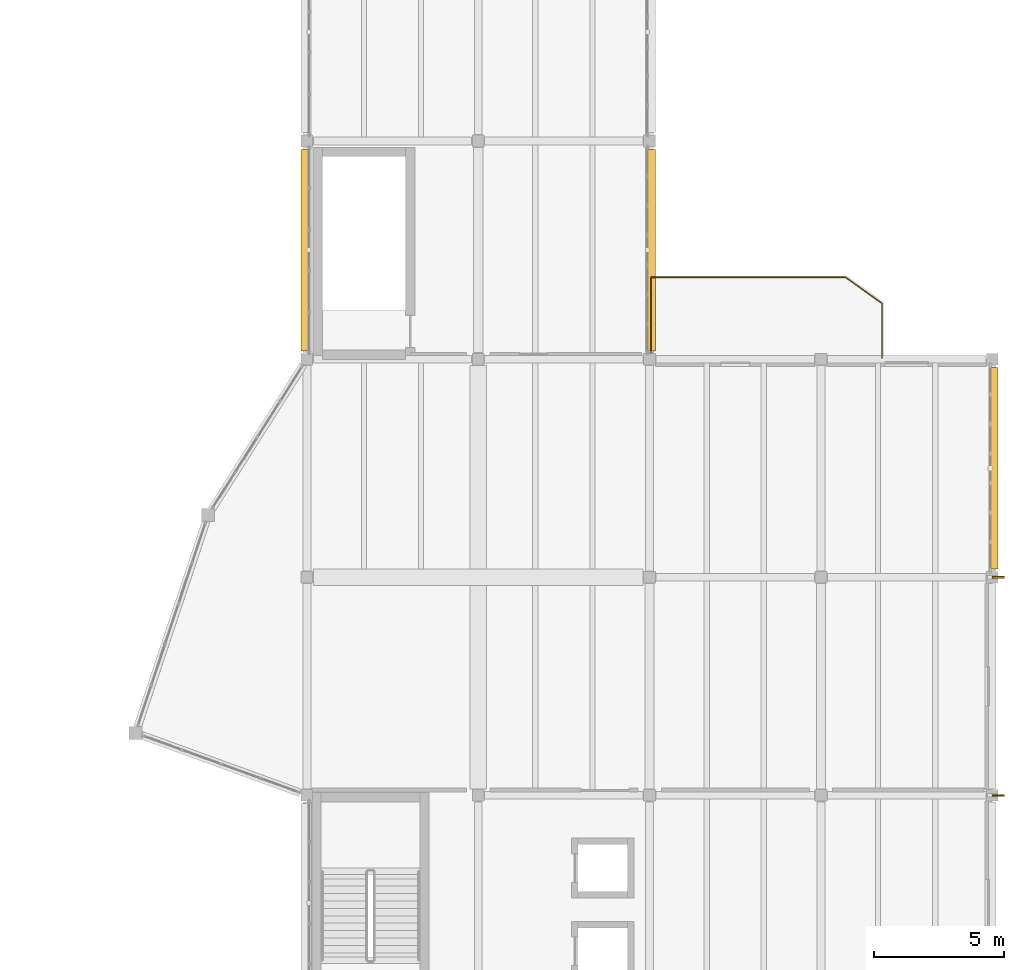
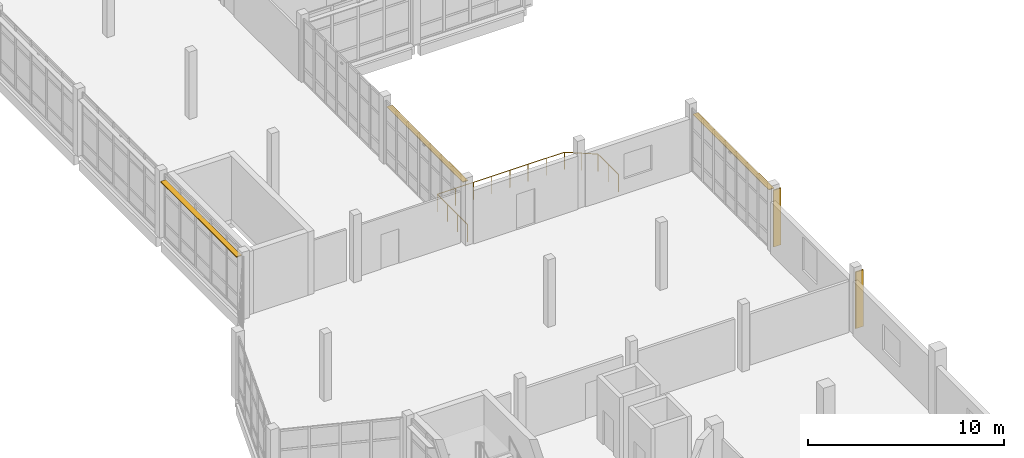
# One storey, part 73 of 74: 5 shading devices, 1 railing.
"""IFC4 building model written with IfcOpenShell, lengths in metres."""

from ifc_helpers import new_model, si_unit, direction, frame, origin, origin_2d, place, context, subcontext, project, spatial, rectangle, circle, extrude, material, layer, layer_set, type_object, element, save


model = new_model("IFC4")

# Units and contexts
model_context = context("Model", 3, precision=1e-05, world=origin(), true_north=direction((0.0, 1.0)))
body_context = subcontext(model_context, "Body", "Model", "MODEL_VIEW")
ifc_project = project(units=[si_unit("LENGTHUNIT", "METRE"), si_unit("AREAUNIT", "SQUARE_METRE"), si_unit("VOLUMEUNIT", "CUBIC_METRE"), si_unit("PLANEANGLEUNIT", "RADIAN"), si_unit("MASSUNIT", "GRAM", prefix="KILO")], contexts=[model_context])

# Site, building, storey
site_placement = place(None, origin())
site = spatial("IfcSite", under=ifc_project, at=site_placement, CompositionType="ELEMENT")
building_placement = place(site_placement, origin())
building = spatial("IfcBuilding", under=site, at=building_placement, Name="Qaldarim Faculty of Natural and Applied Sciences", CompositionType="ELEMENT")
storey_placement = place(building_placement, frame((0.0, 0.0, 14.39990234375)))
storey = spatial("IfcBuildingStorey", under=building, at=storey_placement, Name="L03", CompositionType="ELEMENT", Elevation=14.39990234375)

# Railing
ifc_material_1 = material(Name="Architectural stainless steel 316", Category="steel")
railing_type = type_object("IfcRailingType", Name="ExteriorGuardBalustrade-1100", PredefinedType="BALUSTRADE", material=ifc_material_1)
railing_placement = place(storey_placement, frame((165.050048828125, 84.050048828125, 0.0)))
element("IfcRailing", 1, at=railing_placement, inside=storey, type_object=railing_type, Name="Safety guard balustrade GRD-COURTBAL-L03", PredefinedType="BALUSTRADE", context=body_context, shape_type="SweptSolid", body=[
    extrude(circle(Radius=0.02392578125, at=origin_2d()), frame((0.0, 0.00390625, 1.076171875), z_axis=(0.0, 1.0, 0.0), x_axis=(-1.0, 0.0, 0.0)), (0.0, 0.0, 1.0), 3.091796875),
    extrude(circle(Radius=0.02392578125, at=origin_2d()), frame((0.00390625, 3.099853515625, 1.076171875), z_axis=(1.0, 0.0, 0.0), x_axis=(0.0, 1.0, 0.0)), (0.0, 0.0, 1.0), 7.491943359375),
    extrude(circle(Radius=0.02392578125, at=origin_2d()), frame((7.503173828125, 3.097412109375, 1.076171875), z_axis=(0.813714293681, -0.581265041318, 0.0), x_axis=(0.581265041318, 0.813714293681, 0.0)), (0.0, 0.0, 1.0), 1.71240234375),
    extrude(circle(Radius=0.02392578125, at=origin_2d()), frame((8.89990234375, 2.095947265625, 1.076171875), z_axis=(0.0, -1.0, 0.0), x_axis=(1.0, 0.0, 0.0)), (0.0, 0.0, 1.0), 2.091796875),
    extrude(circle(Radius=0.02099609375, at=origin_2d()), origin(), (0.0, 0.0, 1.0), 1.052001953125),
    extrude(circle(Radius=0.02099609375, at=origin_2d()), frame((0.0, 1.033203125, 0.0)), (0.0, 0.0, 1.0), 1.052001953125),
    extrude(circle(Radius=0.02099609375, at=origin_2d()), frame((0.0, 2.066650390625, 0.0)), (0.0, 0.0, 1.0), 1.052001953125),
    extrude(circle(Radius=0.02099609375, at=origin_2d()), frame((0.0, 3.099853515625, 0.0)), (0.0, 0.0, 1.0), 1.052001953125),
    extrude(circle(Radius=0.02099609375, at=origin_2d()), frame((1.071533203125, 3.099853515625, 0.0)), (0.0, 0.0, 1.0), 1.052001953125),
    extrude(circle(Radius=0.02099609375, at=origin_2d()), frame((2.142822265625, 3.099853515625, 0.0)), (0.0, 0.0, 1.0), 1.052001953125),
    extrude(circle(Radius=0.02099609375, at=origin_2d()), frame((3.21435546875, 3.099853515625, 0.0)), (0.0, 0.0, 1.0), 1.052001953125),
    extrude(circle(Radius=0.02099609375, at=origin_2d()), frame((4.28564453125, 3.099853515625, 0.0)), (0.0, 0.0, 1.0), 1.052001953125),
    extrude(circle(Radius=0.02099609375, at=origin_2d()), frame((5.357177734375, 3.099853515625, 0.0)), (0.0, 0.0, 1.0), 1.052001953125),
    extrude(circle(Radius=0.02099609375, at=origin_2d()), frame((6.428466796875, 3.099853515625, 0.0)), (0.0, 0.0, 1.0), 1.052001953125),
    extrude(circle(Radius=0.02099609375, at=origin_2d()), frame((7.5, 3.099853515625, 0.0)), (0.0, 0.0, 1.0), 1.052001953125),
    extrude(circle(Radius=0.02099609375, at=origin_2d()), frame((8.199951171875, 2.599853515625, 0.0)), (0.0, 0.0, 1.0), 1.052001953125),
    extrude(circle(Radius=0.02099609375, at=origin_2d()), frame((8.89990234375, 2.099853515625, 0.0)), (0.0, 0.0, 1.0), 1.052001953125),
    extrude(circle(Radius=0.02099609375, at=origin_2d()), frame((8.89990234375, 1.0498046875, 0.0)), (0.0, 0.0, 1.0), 1.052001953125),
    extrude(circle(Radius=0.02099609375, at=origin_2d()), frame((8.89990234375, 0.0, 0.0)), (0.0, 0.0, 1.0), 1.052001953125),
])

# Shading devices
ifc_material_2 = material(Name="Champagne anodised aluminium AW-6063", Category="aluminium")
ifc_layer_1 = layer(ifc_material_2, 0.050048828125)
ifc_layer_set_1 = layer_set([ifc_layer_1], Name="Champagne anodised aluminium AW-6063")
shading_device_type_1 = type_object("IfcShadingDeviceType", Name="SolarLouvre-ALU300x50", PredefinedType="JALOUSIE", material=ifc_layer_set_1)
for number, where, z_axis, x_axis, name in (
    (2, (151.72998046875, 88.199951171875, 3.56494140625), (0.0, 0.0, 1.0), (0.0, 1.0, 0.0), "Horizontal solar louvre L03 W X24Y11"),
    (3, (165.070068359375, 88.199951171875, 3.56494140625), (0.0, 0.0, 1.0), (0.0, 1.0, 0.0), "Horizontal solar louvre L03 E X25Y11"),
    (4, (178.27001953125, 79.800048828125, 3.56494140625), (0.0, 0.0, 1.0), (0.0, 1.0, 0.0), "Horizontal solar louvre L03 E X27Y10"),
):
    element("IfcShadingDevice", number, at=place(storey_placement, frame(where, z_axis=z_axis, x_axis=x_axis)), inside=storey, type_object=shading_device_type_1, Name=name, PredefinedType="JALOUSIE", context=body_context, shape_type="SweptSolid", body=[
        extrude(rectangle(XDim=7.760009765625, YDim=0.300048828125, at=origin_2d()), origin(), (0.0, 0.0, 1.0), 0.050048828125),
    ])
ifc_layer_2 = layer(ifc_material_2, 0.06005859375)
ifc_layer_set_2 = layer_set([ifc_layer_2], Name="Champagne anodised aluminium AW-6063")
shading_device_type_2 = type_object("IfcShadingDeviceType", Name="VerticalSunFin-ALU450x60", PredefinedType="SHUTTER", material=ifc_layer_set_2)
for number, where, z_axis, x_axis, name in (
    (5, (178.425048828125, 67.199951171875, 0.2001953125), (0.0, 0.0, 1.0), (1.0, 0.0, 0.0), "Vertical solar fin FIN-L03-X28Y09"),
    (6, (178.425048828125, 75.60009765625, 0.2001953125), (0.0, 0.0, 1.0), (1.0, 0.0, 0.0), "Vertical solar fin FIN-L03-X28Y10"),
):
    element("IfcShadingDevice", number, at=place(storey_placement, frame(where, z_axis=z_axis, x_axis=x_axis)), inside=storey, type_object=shading_device_type_2, Name=name, PredefinedType="SHUTTER", context=body_context, shape_type="SweptSolid", body=[
        extrude(rectangle(XDim=0.449951171875, YDim=0.06005859375, at=origin_2d()), origin(), (0.0, 0.0, 1.0), 3.5400390625),
    ])

save(model, "model.ifc")
